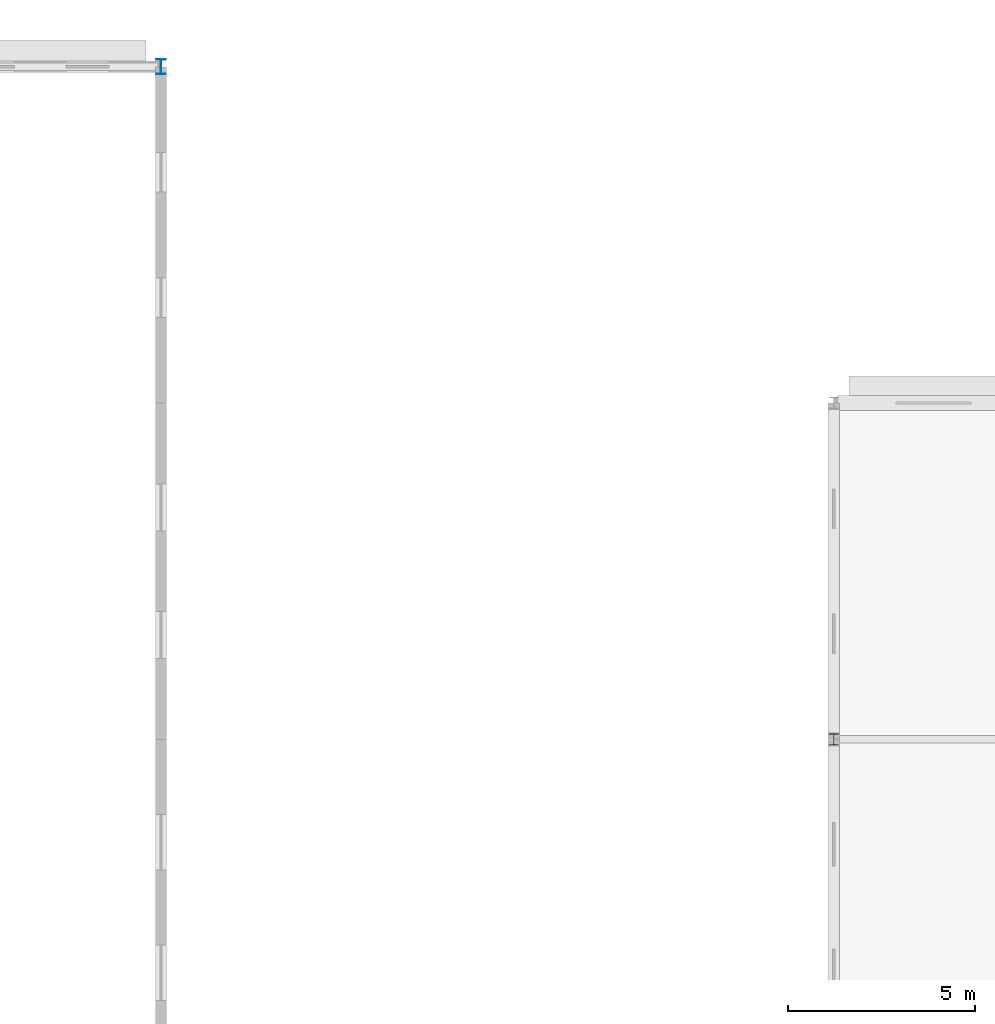
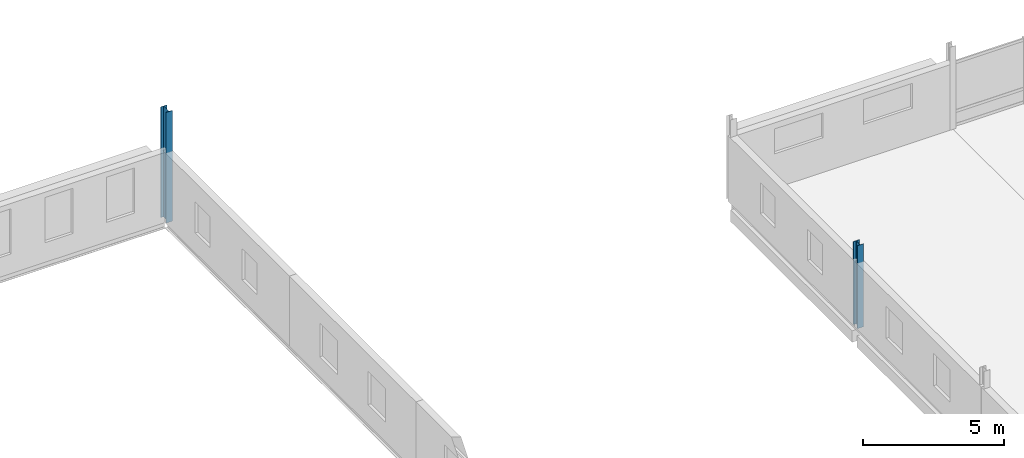
# One storey, part 26 of 132: 2 columns.
"""IFC4 building model written with IfcOpenShell, lengths in metres."""

from ifc_helpers import new_model, si_unit, direction, frame, origin, origin_2d, place, context, subcontext, project, spatial, i_section, extrude, material, material_profile, profile_set, type_object, element, save


model = new_model("IFC4")

# Units and contexts
model_context = context("Model", 3, precision=1e-05, world=origin(), true_north=direction((0.0, 1.0)))
body_context = subcontext(model_context, "Body", "Model", "MODEL_VIEW")
ifc_project = project(units=[si_unit("LENGTHUNIT", "METRE"), si_unit("AREAUNIT", "SQUARE_METRE"), si_unit("VOLUMEUNIT", "CUBIC_METRE"), si_unit("PLANEANGLEUNIT", "RADIAN"), si_unit("MASSUNIT", "GRAM", prefix="KILO")], contexts=[model_context])

# Site, building, storey
site_placement = place(None, origin())
site = spatial("IfcSite", under=ifc_project, at=site_placement, CompositionType="ELEMENT")
building_placement = place(site_placement, origin())
building = spatial("IfcBuilding", under=site, at=building_placement, Name="Tharagai Park Tramway Depot", CompositionType="ELEMENT")
storey_placement = place(building_placement, frame((0.0, 0.0, 4.800048828125)))
storey = spatial("IfcBuildingStorey", under=building, at=storey_placement, Name="L01", CompositionType="ELEMENT", Elevation=4.800048828125)

# Columns
ifc_material = material(Name="Steel E350", Category="steel")
ifc_material_profile_1 = material_profile(ifc_material, i_section(OverallWidth=0.25, OverallDepth=0.39990234375, WebThickness=0.010498046875, FlangeThickness=0.0126953125, FilletRadius=0.013916015625, at=origin_2d()), Name="ISHB 400")
ifc_profile_set_1 = profile_set([ifc_material_profile_1], Name="Steel E350")
column_type_1 = type_object("IfcColumnType", Name="CL-06", PredefinedType="COLUMN", material=ifc_profile_set_1)
column_1_placement = place(storey_placement, frame((144.0, 144.0, 0.0), z_axis=(0.0, 0.0, 1.0), x_axis=(1.0, 0.0, 0.0)))
element("IfcColumn", 1, at=column_1_placement, inside=storey, type_object=column_type_1, Name="Shed Stanchion CL-06 (144,144)", PredefinedType="COLUMN", context=body_context, shape_type="SweptSolid", body=[
    extrude(i_section(OverallWidth=0.25, OverallDepth=0.39990234375, WebThickness=0.010498046875, FlangeThickness=0.0126953125, FilletRadius=0.013916015625, at=origin_2d()), origin(), (0.0, 0.0, 1.0), 4.800048828125),
])
ifc_material_profile_2 = material_profile(ifc_material, i_section(OverallWidth=0.25, OverallDepth=0.300048828125, WebThickness=0.009521484375, FlangeThickness=0.010498046875, FilletRadius=0.011962890625, at=origin_2d()), Name="ISHB 300")
ifc_profile_set_2 = profile_set([ifc_material_profile_2], Name="Steel E350")
column_type_2 = type_object("IfcColumnType", Name="CL-08", PredefinedType="COLUMN", material=ifc_profile_set_2)
column_2_placement = place(storey_placement, frame((162.0, 126.0, 0.0), z_axis=(0.0, 0.0, 1.0), x_axis=(1.0, 0.0, 0.0)))
element("IfcColumn", 2, at=column_2_placement, inside=storey, type_object=column_type_2, Name="L01 Structural Column CL-08 (162,126)", PredefinedType="COLUMN", context=body_context, shape_type="SweptSolid", body=[
    extrude(i_section(OverallWidth=0.25, OverallDepth=0.300048828125, WebThickness=0.009521484375, FlangeThickness=0.010498046875, FilletRadius=0.011962890625, at=origin_2d()), origin(), (0.0, 0.0, 1.0), 3.599853515625),
])

save(model, "model.ifc")
